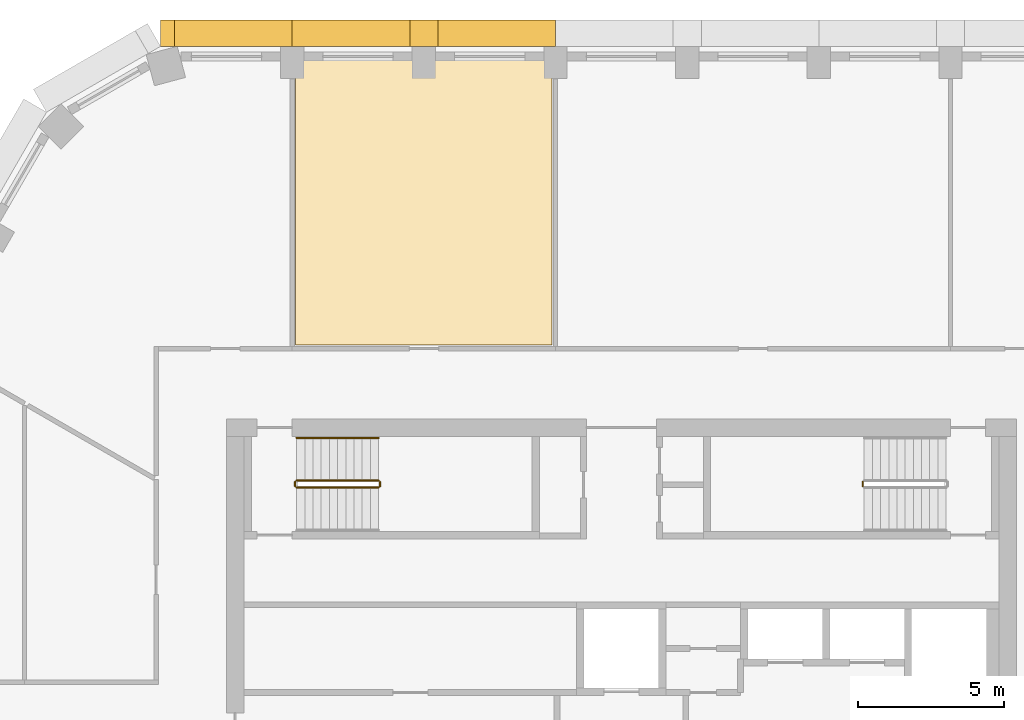
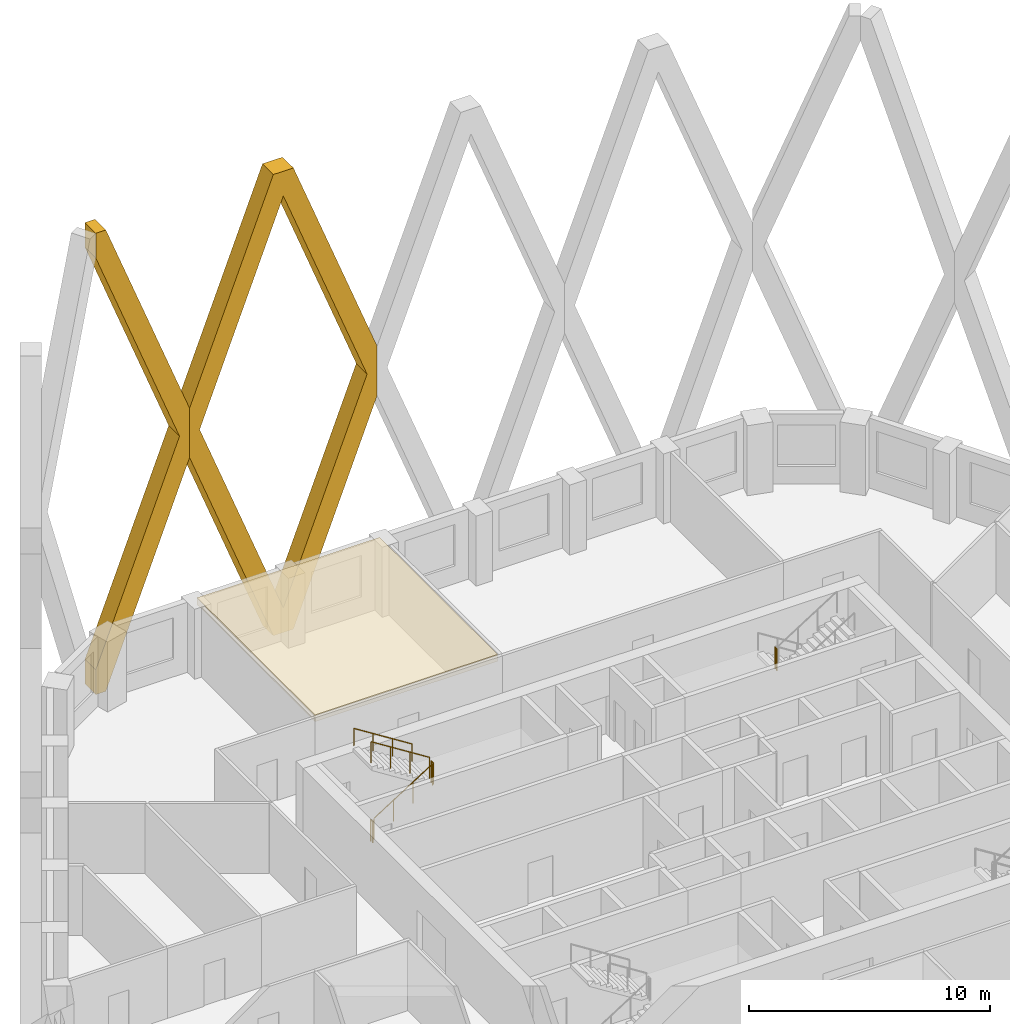
# One storey, part 13 of 15: 6 railings, 3 coverings.
"""IFC4 building model written with IfcOpenShell, lengths in metres."""

from ifc_helpers import new_model, si_unit, direction, frame, origin, origin_2d, place, context, subcontext, project, spatial, polyline, circle, outline, extrude, material, layer, layer_set, type_object, element, save


model = new_model("IFC4")

# Units and contexts
model_context = context("Model", 3, precision=1e-05, world=origin(), true_north=direction((0.0, 1.0)))
body_context = subcontext(model_context, "Body", "Model", "MODEL_VIEW")
ifc_project = project(units=[si_unit("LENGTHUNIT", "METRE"), si_unit("AREAUNIT", "SQUARE_METRE"), si_unit("VOLUMEUNIT", "CUBIC_METRE"), si_unit("PLANEANGLEUNIT", "RADIAN"), si_unit("MASSUNIT", "GRAM", prefix="KILO")], contexts=[model_context])

# Site, building, storey
site_placement = place(None, origin())
site = spatial("IfcSite", under=ifc_project, at=site_placement, CompositionType="ELEMENT")
building_placement = place(site_placement, origin())
building = spatial("IfcBuilding", under=site, at=building_placement, Name="Dhurran Vertical Campus", CompositionType="ELEMENT")
storey_placement = place(building_placement, frame((0.0, 0.0, 207.300048828125)))
storey = spatial("IfcBuildingStorey", under=building, at=storey_placement, Name="L51", CompositionType="ELEMENT", Elevation=207.300048828125)

# Coverings
ifc_material_1 = material(Name="Precast concrete C50/60", Category="concrete")
covering_type_1 = type_object("IfcCoveringType", Name="Folded precast fin lattice diamond", PredefinedType="USERDEFINED", material=ifc_material_1)
covering_1_placement = place(storey_placement, frame((-2.25, 23.985595703125, 0.0), z_axis=(0.0, 1.0, 0.0), x_axis=(-1.0, 0.0, 0.0)))
element("IfcCovering", 1, at=covering_1_placement, inside=storey, type_object=covering_type_1, Name="FN1 L51.016", ObjectType="FIN", PredefinedType="USERDEFINED", context=body_context, shape_type="SweptSolid", body=[
    extrude(outline(polyline([(9.0, 12.95361328125), (9.0, 10.4462890625), (4.982177734375, 0.0), (4.017822265625, 0.0), (0.0, 10.4462890625), (0.0, 12.95361328125), (4.017822265625, 23.39990234375), (4.982177734375, 23.39990234375), (9.0, 12.95361328125)]), holes=[polyline([(8.517822265625, 11.699951171875), (4.5, 22.146484375), (0.482177734375, 11.699951171875), (4.5, 1.253662109375), (8.517822265625, 11.699951171875)])]), origin(), (0.0, 0.0, 1.0), 0.89990234375),
])
covering_2_placement = place(storey_placement, frame((-11.25, 23.985595703125, 0.0), z_axis=(0.0, 1.0, 0.0), x_axis=(-1.0, 0.0, 0.0)))
element("IfcCovering", 2, at=covering_2_placement, inside=storey, type_object=covering_type_1, Name="FN1 L51.017", ObjectType="FIN", PredefinedType="USERDEFINED", context=body_context, shape_type="SweptSolid", body=[
    extrude(outline(polyline([(4.017822265625, 0.0), (0.0, 10.4462890625), (0.0, 12.95361328125), (4.017822265625, 23.39990234375), (4.5, 23.39990234375), (4.5, 22.146484375), (0.482177734375, 11.699951171875), (4.5, 1.253662109375), (4.5, 0.0), (4.017822265625, 0.0)])), origin(), (0.0, 0.0, 1.0), 0.89990234375),
])

# Railings
ifc_material_2 = material(Name="Stainless steel balustrade", Category="steel")
railing_type_1 = type_object("IfcRailingType", Name="co-RL-GUARD-1100", PredefinedType="GUARDRAIL", material=ifc_material_2)
railing_1_placement = place(storey_placement, frame((-11.10009765625, 8.89990234375, 0.17724609375)))
element("IfcRailing", 3, at=railing_1_placement, inside=storey, type_object=railing_type_1, Name="L51 ST1 stair guard 1", PredefinedType="GUARDRAIL", context=body_context, shape_type="SweptSolid", body=[
    extrude(circle(Radius=0.02392578125, at=origin_2d()), frame((0.0, 0.0, 1.076171875), z_axis=(0.844908973607, 0.0, 0.534910110503), x_axis=(0.0, 1.0, 0.0)), (0.0, 0.0, 1.0), 3.31396484375),
    extrude(circle(Radius=0.02099609375, at=origin_2d()), origin(), (0.0, 0.0, 1.0), 1.052001953125),
    extrude(circle(Radius=0.02099609375, at=origin_2d()), frame((0.933349609375, 0.0, 0.5908203125)), (0.0, 0.0, 1.0), 1.052001953125),
    extrude(circle(Radius=0.02099609375, at=origin_2d()), frame((1.86669921875, 0.0, 1.181884765625)), (0.0, 0.0, 1.0), 1.052001953125),
    extrude(circle(Radius=0.02099609375, at=origin_2d()), frame((2.800048828125, 0.0, 1.772705078125)), (0.0, 0.0, 1.0), 1.052001953125),
])
railing_2_placement = place(storey_placement, frame((-8.25, 8.949951171875, 1.949951171875)))
element("IfcRailing", 4, at=railing_2_placement, inside=storey, type_object=railing_type_1, Name="L51 ST1 stair guard 2", PredefinedType="GUARDRAIL", context=body_context, shape_type="SweptSolid", body=[
    extrude(circle(Radius=0.02392578125, at=origin_2d()), frame((0.0, 0.0, 1.076171875), z_axis=(0.0, 1.0, 0.0), x_axis=(-1.0, 0.0, 0.0)), (0.0, 0.0, 1.0), 0.150146484375),
    extrude(circle(Radius=0.02099609375, at=origin_2d()), origin(), (0.0, 0.0, 1.0), 1.052001953125),
    extrude(circle(Radius=0.02099609375, at=origin_2d()), frame((0.0, 0.150146484375, 0.0)), (0.0, 0.0, 1.0), 1.052001953125),
])
railing_3_placement = place(storey_placement, frame((-8.300048828125, 9.14990234375, 2.127197265625)))
element("IfcRailing", 5, at=railing_3_placement, inside=storey, type_object=railing_type_1, Name="L51 ST1 stair guard 3", PredefinedType="GUARDRAIL", context=body_context, shape_type="SweptSolid", body=[
    extrude(circle(Radius=0.02392578125, at=origin_2d()), frame((0.0, 0.0, 1.076171875), z_axis=(-0.844908973607, 0.0, 0.534910110503), x_axis=(0.0, -1.0, 0.0)), (0.0, 0.0, 1.0), 3.31396484375),
    extrude(circle(Radius=0.02099609375, at=origin_2d()), origin(), (0.0, 0.0, 1.0), 1.052001953125),
    extrude(circle(Radius=0.02099609375, at=origin_2d()), frame((-0.933349609375, 0.0, 0.5908203125)), (0.0, 0.0, 1.0), 1.052001953125),
    extrude(circle(Radius=0.02099609375, at=origin_2d()), frame((-1.86669921875, 0.0, 1.181884765625)), (0.0, 0.0, 1.0), 1.052001953125),
    extrude(circle(Radius=0.02099609375, at=origin_2d()), frame((-2.800048828125, 0.0, 1.772705078125)), (0.0, 0.0, 1.0), 1.052001953125),
])
railing_4_placement = place(storey_placement, frame((-11.14990234375, 8.949951171875, 0.0)))
element("IfcRailing", 6, at=railing_4_placement, inside=storey, type_object=railing_type_1, Name="L51 ST1 stair guard 4", PredefinedType="GUARDRAIL", context=body_context, shape_type="SweptSolid", body=[
    extrude(circle(Radius=0.02392578125, at=origin_2d()), frame((0.0, 0.0, 1.076171875), z_axis=(0.0, 1.0, 0.0), x_axis=(-1.0, 0.0, 0.0)), (0.0, 0.0, 1.0), 0.150146484375),
    extrude(circle(Radius=0.02099609375, at=origin_2d()), origin(), (0.0, 0.0, 1.0), 1.052001953125),
    extrude(circle(Radius=0.02099609375, at=origin_2d()), frame((0.0, 0.150146484375, 0.0)), (0.0, 0.0, 1.0), 1.052001953125),
])
railing_5_placement = place(storey_placement, frame((8.25, 9.10009765625, 1.949951171875)))
element("IfcRailing", 7, at=railing_5_placement, inside=storey, type_object=railing_type_1, Name="L51 ST2 stair guard 2", PredefinedType="GUARDRAIL", context=body_context, shape_type="SweptSolid", body=[
    extrude(circle(Radius=0.02392578125, at=origin_2d()), frame((0.0, 0.0, 1.076171875), z_axis=(0.0, -1.0, 0.0), x_axis=(1.0, 0.0, 0.0)), (0.0, 0.0, 1.0), 0.150146484375),
    extrude(circle(Radius=0.02099609375, at=origin_2d()), origin(), (0.0, 0.0, 1.0), 1.052001953125),
    extrude(circle(Radius=0.02099609375, at=origin_2d()), frame((0.0, -0.150146484375, 0.0)), (0.0, 0.0, 1.0), 1.052001953125),
])
ifc_material_3 = material(Name="Stainless steel handrail", Category="steel")
railing_type_2 = type_object("IfcRailingType", Name="co-RL-HANDRAIL-900", PredefinedType="HANDRAIL", material=ifc_material_3)
railing_6_placement = place(storey_placement, frame((-8.300048828125, 10.60009765625, 2.127197265625)))
element("IfcRailing", 8, at=railing_6_placement, inside=storey, type_object=railing_type_2, Name="L51 ST1 stair handrail 2", PredefinedType="HANDRAIL", context=body_context, shape_type="SweptSolid", body=[
    extrude(circle(Radius=0.02392578125, at=origin_2d()), frame((0.0, 0.0, 0.8759765625), z_axis=(-0.844908973607, 0.0, 0.534910110503), x_axis=(0.0, -1.0, 0.0)), (0.0, 0.0, 1.0), 3.31396484375),
    extrude(circle(Radius=0.02099609375, at=origin_2d()), origin(), (0.0, 0.0, 1.0), 0.851806640625),
    extrude(circle(Radius=0.02099609375, at=origin_2d()), frame((-0.933349609375, 0.0, 0.5908203125)), (0.0, 0.0, 1.0), 0.851806640625),
    extrude(circle(Radius=0.02099609375, at=origin_2d()), frame((-1.86669921875, 0.0, 1.181884765625)), (0.0, 0.0, 1.0), 0.851806640625),
    extrude(circle(Radius=0.02099609375, at=origin_2d()), frame((-2.800048828125, 0.0, 1.772705078125)), (0.0, 0.0, 1.0), 0.851806640625),
])

# Covering
ifc_material_4 = material(Name="Mineral fibre ceiling tiles on suspended grid")
ifc_layer = layer(ifc_material_4, 0.35009765625)
ifc_layer_set = layer_set([ifc_layer], Name="Mineral fibre ceiling tiles on suspended grid")
covering_type_2 = type_object("IfcCoveringType", Name="fl-CE-350 suspended ceiling", PredefinedType="CEILING", material=ifc_layer_set)
covering_3_placement = place(storey_placement, frame((0.0, 0.0, 3.199951171875)))
element("IfcCovering", 9, at=covering_3_placement, inside=storey, type_object=covering_type_2, Name="Ceiling 51-10", PredefinedType="CEILING", context=body_context, shape_type="SweptSolid", body=[
    extrude(outline(polyline([(-11.1298828125, 23.56591796875), (-2.3701171875, 23.56591796875), (-2.3701171875, 13.77001953125), (-11.1298828125, 13.77001953125), (-11.1298828125, 23.56591796875)])), origin(), (0.0, 0.0, 1.0), 0.35009765625),
])

save(model, "model.ifc")
